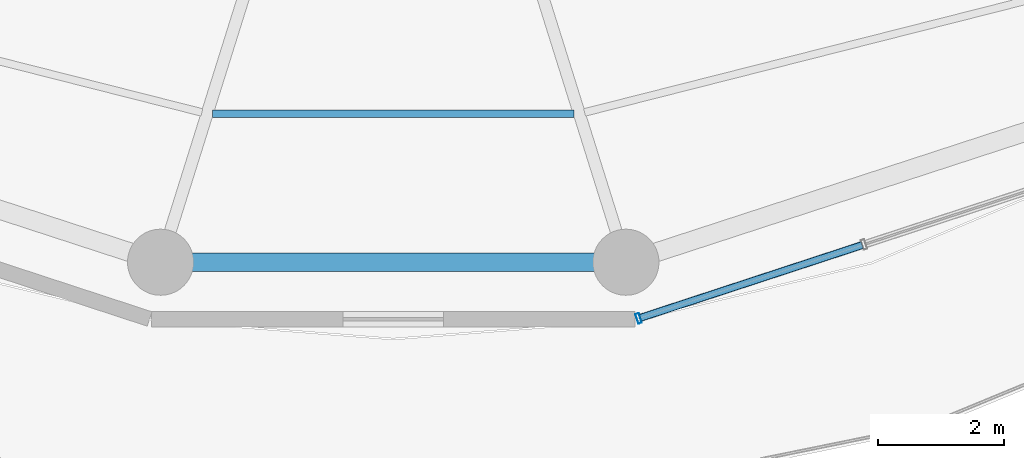
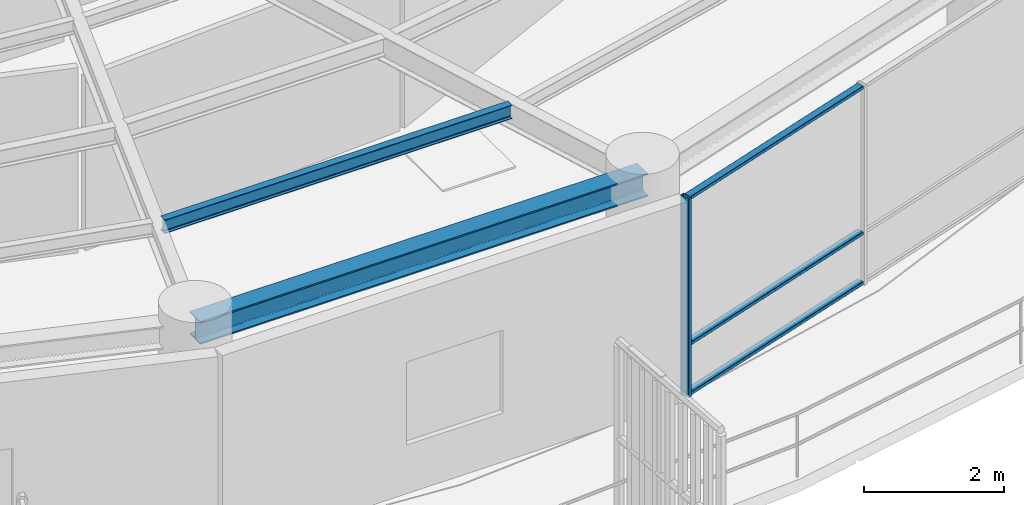
# One storey, part 4 of 30: 4 members, 2 beams, 1 element without a shape of its own.
"""IFC4 building model written with IfcOpenShell, lengths in metres."""

from ifc_helpers import new_model, si_unit, direction, frame, origin, origin_2d, place, context, subcontext, project, spatial, hollow_rectangle, i_section, extrude, material, layer, layer_set, material_profile, profile_set, type_object, element, aggregate, save


model = new_model("IFC4")

# Units and contexts
model_context = context("Model", 3, precision=1e-05, world=origin(), true_north=direction((0.0, 1.0)))
body_context = subcontext(model_context, "Body", "Model", "MODEL_VIEW")
ifc_project = project(units=[si_unit("LENGTHUNIT", "METRE"), si_unit("AREAUNIT", "SQUARE_METRE"), si_unit("VOLUMEUNIT", "CUBIC_METRE"), si_unit("PLANEANGLEUNIT", "RADIAN"), si_unit("MASSUNIT", "GRAM", prefix="KILO")], contexts=[model_context])

# Site, building, storey
site_placement = place(None, origin())
site = spatial("IfcSite", under=ifc_project, at=site_placement, CompositionType="ELEMENT")
building_placement = place(site_placement, origin())
building = spatial("IfcBuilding", under=site, at=building_placement, Name="Kelanora Arch Commons", CompositionType="ELEMENT")
storey_placement = place(building_placement, frame((0.0, 0.0, 208.199951171875)))
storey = spatial("IfcBuildingStorey", under=building, at=storey_placement, Name="L53", CompositionType="ELEMENT", Elevation=208.199951171875)

# Beams
ifc_material_1 = material(Name="Steel S355", Category="steel")
ifc_material_profile_1 = material_profile(ifc_material_1, i_section(OverallWidth=0.1201171875, OverallDepth=0.239990234375, WebThickness=0.006103515625, FlangeThickness=0.009765625, FilletRadius=0.014892578125, at=origin_2d()), Name="IPE240")
ifc_profile_set_1 = profile_set([ifc_material_profile_1], Name="Steel S355")
beam_type_1 = type_object("IfcBeamType", Name="BM-JST-02", PredefinedType="JOIST", material=ifc_profile_set_1)
beam_1_placement = place(storey_placement, frame((71.12890625, 41.56787109375, 3.3701171875), z_axis=(1.0, 0.0, 0.0), x_axis=(0.0, 1.0, 0.0)))
element("IfcBeam", 1, at=beam_1_placement, inside=storey, type_object=beam_type_1, Name="Secondary Chord Joist BJC-26 L53", PredefinedType="JOIST", context=body_context, shape_type="SweptSolid", body=[
    extrude(i_section(OverallWidth=0.1201171875, OverallDepth=0.239990234375, WebThickness=0.006103515625, FlangeThickness=0.009765625, FilletRadius=0.014892578125, at=origin_2d()), origin(), (0.0, 0.0, 1.0), 5.7421875),
])
ifc_material_profile_2 = material_profile(ifc_material_1, i_section(OverallWidth=0.300048828125, OverallDepth=0.39990234375, WebThickness=0.013427734375, FlangeThickness=0.02392578125, FilletRadius=0.027099609375, at=origin_2d()), Name="HEB400")
ifc_profile_set_2 = profile_set([ifc_material_profile_2], Name="Steel S355")
beam_type_2 = type_object("IfcBeamType", Name="BM-SPN-Z4", PredefinedType="SPANDREL", material=ifc_profile_set_2)
beam_2_placement = place(storey_placement, frame((70.3046875, 39.2099609375, 3.2900390625), z_axis=(1.0, 0.0, 0.0), x_axis=(0.0, 1.0, 0.0)))
element("IfcBeam", 2, at=beam_2_placement, inside=storey, type_object=beam_type_2, Name="Perimeter Spandrel Beam BS-26 L53", PredefinedType="SPANDREL", context=body_context, shape_type="SweptSolid", body=[
    extrude(i_section(OverallWidth=0.300048828125, OverallDepth=0.39990234375, WebThickness=0.013427734375, FlangeThickness=0.02392578125, FilletRadius=0.027099609375, at=origin_2d()), origin(), (0.0, 0.0, 1.0), 7.390625),
])

# Curtain wall, members
ifc_material_2 = material(Name="Terracotta ceramic-fritted low-E glass and aluminium", Category="masonry")
ifc_layer = layer(ifc_material_2, 0.175048828125)
ifc_layer_set = layer_set([ifc_layer], Name="Terracotta ceramic-fritted low-E glass and aluminium")
curtain_wall_type = type_object("IfcCurtainWallType", Name="CW-SYS-02", PredefinedType="NOTDEFINED", material=ifc_layer_set)
curtain_wall_placement = place(storey_placement, origin())
curtain_wall = element("IfcCurtainWall", 3, at=curtain_wall_placement, inside=storey, type_object=curtain_wall_type, Name="Unitised Curtain Wall L53-B14", PredefinedType="NOTDEFINED")
ifc_material_3 = material(Name="Powder-coated aluminium terracotta", Category="masonry")
ifc_material_profile_3 = material_profile(ifc_material_3, hollow_rectangle(XDim=0.159912109375, YDim=0.06005859375, WallThickness=0.0048828125, InnerFilletRadius=0.0048828125, OuterFilletRadius=0.010009765625, at=origin_2d()), Name="CWM160x60")
ifc_profile_set_3 = profile_set([ifc_material_profile_3], Name="Powder-coated aluminium terracotta")
member_type_1 = type_object("IfcMemberType", Name="CWM-STD", PredefinedType="MULLION", material=ifc_profile_set_3)
member_1_placement = place(storey_placement, frame((77.897705078125, 38.31787109375, 0.0), z_axis=(0.0, 0.0, 1.0), x_axis=(-0.311582439059, 0.950219124029, 0.0)))
member_1 = element("IfcMember", 4, at=member_1_placement, type_object=member_type_1, Name="CW-02 mullion 1", PredefinedType="MULLION", context=body_context, shape_type="SweptSolid", body=[
    extrude(hollow_rectangle(XDim=0.159912109375, YDim=0.06005859375, WallThickness=0.0048828125, InnerFilletRadius=0.0048828125, OuterFilletRadius=0.010009765625, at=origin_2d()), origin(), (0.0, 0.0, 1.0), 3.47509765625),
])
ifc_material_profile_4 = material_profile(ifc_material_3, hollow_rectangle(XDim=0.1201171875, YDim=0.06005859375, WallThickness=0.0048828125, InnerFilletRadius=0.0048828125, OuterFilletRadius=0.010009765625, at=origin_2d()), Name="CWT120x60")
ifc_profile_set_4 = profile_set([ifc_material_profile_4], Name="Powder-coated aluminium terracotta")
member_type_2 = type_object("IfcMemberType", Name="CWT-STD", PredefinedType="USERDEFINED", material=ifc_profile_set_4)
member_2_placement = place(storey_placement, frame((77.92626953125, 38.3271484375, 0.030029296875), z_axis=(0.950206527055, 0.311620852867, 0.0), x_axis=(-0.311620852867, 0.950206527055, 0.0)))
member_2 = element("IfcMember", 5, at=member_2_placement, type_object=member_type_2, Name="CW-02 transom 1.1", ObjectType="TRANSOM", PredefinedType="USERDEFINED", context=body_context, shape_type="SweptSolid", body=[
    extrude(hollow_rectangle(XDim=0.1201171875, YDim=0.06005859375, WallThickness=0.0048828125, InnerFilletRadius=0.0048828125, OuterFilletRadius=0.010009765625, at=origin_2d()), origin(), (0.0, 0.0, 1.0), 3.707275390625),
])
member_3_placement = place(storey_placement, frame((77.92626953125, 38.3271484375, 0.900146484375), z_axis=(0.950206527055, 0.311620852867, 0.0), x_axis=(-0.311620852867, 0.950206527055, 0.0)))
member_3 = element("IfcMember", 6, at=member_3_placement, type_object=member_type_2, Name="CW-02 transom 1.2", ObjectType="TRANSOM", PredefinedType="USERDEFINED", context=body_context, shape_type="SweptSolid", body=[
    extrude(hollow_rectangle(XDim=0.1201171875, YDim=0.06005859375, WallThickness=0.0048828125, InnerFilletRadius=0.0048828125, OuterFilletRadius=0.010009765625, at=origin_2d()), origin(), (0.0, 0.0, 1.0), 3.707275390625),
])
member_4_placement = place(storey_placement, frame((77.92626953125, 38.3271484375, 3.445068359375), z_axis=(0.950206527055, 0.311620852867, 0.0), x_axis=(-0.311620852867, 0.950206527055, 0.0)))
member_4 = element("IfcMember", 7, at=member_4_placement, type_object=member_type_2, Name="CW-02 transom 1.3", ObjectType="TRANSOM", PredefinedType="USERDEFINED", context=body_context, shape_type="SweptSolid", body=[
    extrude(hollow_rectangle(XDim=0.1201171875, YDim=0.06005859375, WallThickness=0.0048828125, InnerFilletRadius=0.0048828125, OuterFilletRadius=0.010009765625, at=origin_2d()), origin(), (0.0, 0.0, 1.0), 3.707275390625),
])
aggregate(curtain_wall, [member_1, member_2, member_3, member_4])

save(model, "model.ifc")
